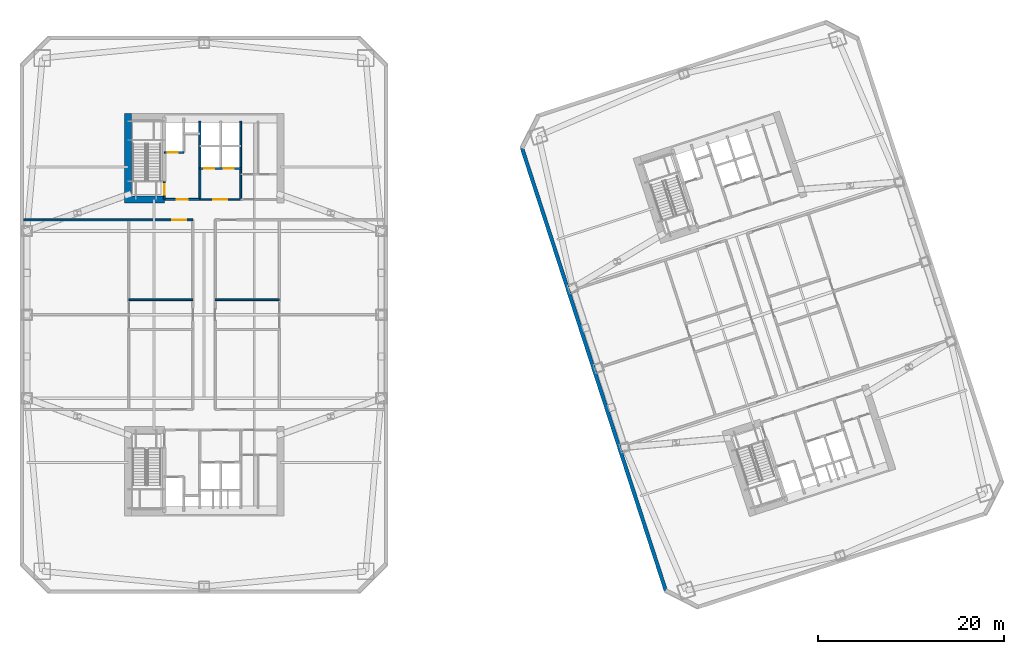
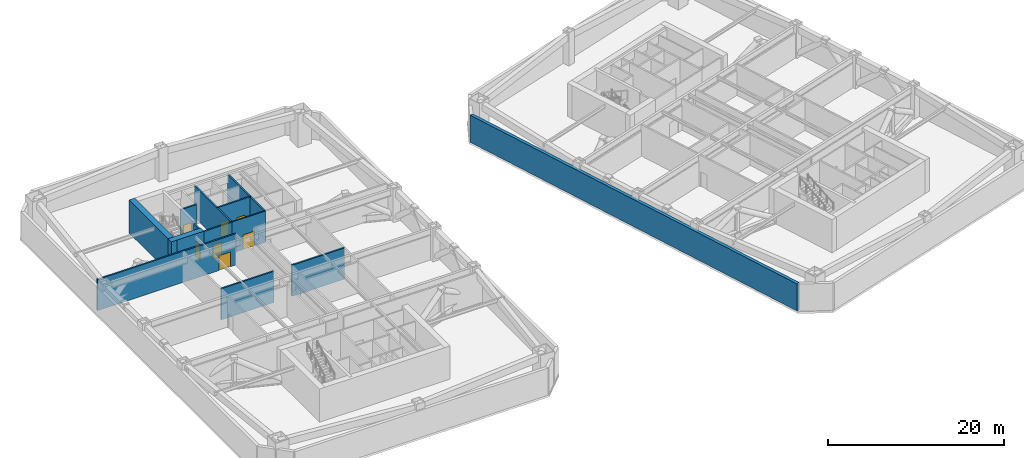
# One storey, part 10 of 16: 13 walls, 7 doors, 7 openings.
"""IFC4 building model written with IfcOpenShell, lengths in metres."""

from ifc_helpers import new_model, si_unit, direction, frame, frame_2d, origin, place, context, subcontext, project, spatial, rectangle, extrude, material, layer, layer_set, type_object, element, fill, save


model = new_model("IFC4")

# Units and contexts
model_context = context("Model", 3, precision=1e-05, world=origin(), true_north=direction((0.0, 1.0)))
body_context = subcontext(model_context, "Body", "Model", "MODEL_VIEW")
ifc_project = project(units=[si_unit("LENGTHUNIT", "METRE"), si_unit("AREAUNIT", "SQUARE_METRE"), si_unit("VOLUMEUNIT", "CUBIC_METRE"), si_unit("PLANEANGLEUNIT", "RADIAN"), si_unit("MASSUNIT", "GRAM", prefix="KILO")], contexts=[model_context])

# Site, building, storey
site_placement = place(None, origin())
site = spatial("IfcSite", under=ifc_project, at=site_placement, CompositionType="ELEMENT")
building_placement = place(site_placement, origin())
building = spatial("IfcBuilding", under=site, at=building_placement, Name="Qiaolan Cultural Towers", CompositionType="ELEMENT")
storey_placement = place(building_placement, frame((0.0, 0.0, 46.0)))
storey = spatial("IfcBuildingStorey", under=building, at=storey_placement, Name="L10", CompositionType="ELEMENT", Elevation=46.0)

# Walls
ifc_material_1 = material(Name="Concrete C60", Category="concrete")
ifc_layer_1 = layer(ifc_material_1, 0.75)
ifc_layer_set_1 = layer_set([ifc_layer_1], Name="Concrete C60")
wall_type_1 = type_object("IfcWallType", Name="WL-CORE-750", PredefinedType="SHEAR", material=ifc_layer_set_1)
wall_1_placement = place(storey_placement, frame((21.800048828125, 46.02490234375, 0.0), z_axis=(0.0, 0.0, 1.0), x_axis=(0.0, 1.0, 0.0)))
element("IfcWall", 1, at=wall_1_placement, inside=storey, type_object=wall_type_1, Name="L10 T1-CN West Core Shear Wall", PredefinedType="SHEAR", context=body_context, shape_type="SweptSolid", body=[
    extrude(rectangle(XDim=9.630126953125, YDim=0.75, at=frame_2d((4.81494140625, 0.0))), origin(), (0.0, 0.0, 1.0), 4.60009765625),
])
wall_2_placement = place(storey_placement, frame((21.425048828125, 46.39990234375, 0.0), z_axis=(0.0, 0.0, 1.0), x_axis=(1.0, 0.0, 0.0)))
element("IfcWall", 2, at=wall_2_placement, inside=storey, type_object=wall_type_1, Name="L10 T1-CN Stair Front Shear Wall", PredefinedType="SHEAR", context=body_context, shape_type="SweptSolid", body=[
    extrude(rectangle(XDim=4.294921875, YDim=0.75, at=frame_2d((2.1474609375, 0.0))), origin(), (0.0, 0.0, 1.0), 4.60009765625),
])
ifc_material_2 = material(Name="Precast Concrete C50 Honed Stone Pier", Category="masonry")
ifc_layer_2 = layer(ifc_material_2, 0.39990234375)
ifc_layer_set_2 = layer_set([ifc_layer_2], Name="Precast Concrete C50 Honed Stone Pier")
wall_type_2 = type_object("IfcWallType", Name="WL-EXT-PIER-400", PredefinedType="SOLIDWALL", material=ifc_layer_set_2)
wall_3_placement = place(storey_placement, frame((79.6552734375, 4.352294921875, 0.0), z_axis=(0.0, 0.0, 1.0), x_axis=(-0.309014526607, 0.951057318118, 0.0)))
element("IfcWall", 3, at=wall_3_placement, inside=storey, type_object=wall_type_2, Name="L10 East Tower Precast Pier Facade Wall F1", PredefinedType="SOLIDWALL", context=body_context, shape_type="SweptSolid", body=[
    extrude(rectangle(XDim=49.999755859375, YDim=0.39990234375, at=frame_2d((25.0, 0.0))), origin(), (0.0, 0.0, 1.0), 3.760009765625),
])

# Wall, opening, door
ifc_material_3 = material(Name="Concrete C35 Fire Wall", Category="concrete")
ifc_layer_3 = layer(ifc_material_3, 0.199951171875)
ifc_layer_set_3 = layer_set([ifc_layer_3], Name="Concrete C35 Fire Wall")
wall_type_3 = type_object("IfcWallType", Name="WL-FIRE-200", PredefinedType="PARTITIONING", material=ifc_layer_set_3)
wall_4_placement = place(storey_placement, frame((25.719970703125, 46.39990234375, 0.0), z_axis=(0.0, 0.0, 1.0), x_axis=(0.0, 1.0, 0.0)))
wall_4 = element("IfcWall", 4, at=wall_4_placement, inside=storey, type_object=wall_type_3, Name="L10 T1-CN Smokeproof Stair Entry Wall", PredefinedType="PARTITIONING", context=body_context, shape_type="SweptSolid", body=[
    extrude(rectangle(XDim=1.900146484375, YDim=0.199951171875, at=frame_2d((0.9501953125, 0.0))), origin(), (0.0, 0.0, 1.0), 4.324951171875),
])
opening_1_placement = place(wall_4_placement, frame((0.52001953125, 0.0, 0.0)))
opening_1 = element("IfcOpeningElement", 5, at=opening_1_placement, cuts=wall_4, Name="Opening FD-04", PredefinedType="OPENING", context=body_context, shape_type="SweptSolid", body=[
    extrude(rectangle(XDim=1.10009765625, YDim=2.050048828125, at=frame_2d((0.550048828125, 1.02490234375))), frame((0.0, 0.10986328125, 0.0), z_axis=(0.0, -1.0, 0.0), x_axis=(1.0, 0.0, 0.0)), (0.0, 0.0, 1.0), 0.219970703125),
])
ifc_material_4 = material(Name="Galvanized Steel Command Fire Door", Category="steel")
door_type_1 = type_object("IfcDoorType", Name="DR-FD90-1100", OperationType="NOTDEFINED", PredefinedType="DOOR", material=ifc_material_4)
door_1_placement = place(opening_1_placement, origin())
door_1 = element("IfcDoor", 6, at=door_1_placement, inside=storey, type_object=door_type_1, Name="L10 ST-W2 Smokeproof Stair Fire Door", OperationType="SINGLE_SWING_LEFT", OverallHeight=2.050048828125, OverallWidth=1.10009765625, PredefinedType="DOOR", context=body_context, shape_type="SweptSolid", body=[
    extrude(rectangle(XDim=1.10009765625, YDim=2.050048828125, at=frame_2d((0.550048828125, 1.02490234375))), frame((0.0, 0.02490234375, 0.0), z_axis=(0.0, -1.0, 0.0), x_axis=(1.0, 0.0, 0.0)), (0.0, 0.0, 1.0), 0.050048828125),
])
fill(opening_1, door_1)

# Wall
wall_5_placement = place(storey_placement, frame((29.550048828125, 46.39990234375, 0.0), z_axis=(0.0, 0.0, 1.0), x_axis=(0.0, 1.0, 0.0)))
element("IfcWall", 7, at=wall_5_placement, inside=storey, type_object=wall_type_3, Name="L10 T1-CN Firefighting Zone Wall", PredefinedType="PARTITIONING", context=body_context, shape_type="SweptSolid", body=[
    extrude(rectangle(XDim=8.43017578125, YDim=0.199951171875, at=frame_2d((4.215087890625, 0.0))), origin(), (0.0, 0.0, 1.0), 4.324951171875),
])

# Wall, opening, door
wall_6_placement = place(storey_placement, frame((25.719970703125, 46.39990234375, 0.0), z_axis=(0.0, 0.0, 1.0), x_axis=(1.0, 0.0, 0.0)))
wall_6 = element("IfcWall", 8, at=wall_6_placement, inside=storey, type_object=wall_type_3, Name="L10 T1-CN Firefighting Lobby Front Wall", PredefinedType="PARTITIONING", context=body_context, shape_type="SweptSolid", body=[
    extrude(rectangle(XDim=3.830078125, YDim=0.199951171875, at=frame_2d((1.9150390625, 0.0))), origin(), (0.0, 0.0, 1.0), 4.324951171875),
])
opening_2_placement = place(wall_6_placement, frame((1.35009765625, 0.0, 0.0)))
opening_2 = element("IfcOpeningElement", 9, at=opening_2_placement, cuts=wall_6, Name="Opening FD-03", PredefinedType="OPENING", context=body_context, shape_type="SweptSolid", body=[
    extrude(rectangle(XDim=1.199951171875, YDim=2.050048828125, at=frame_2d((0.60009765625, 1.02490234375))), frame((0.0, 0.10986328125, 0.0), z_axis=(0.0, -1.0, 0.0), x_axis=(1.0, 0.0, 0.0)), (0.0, 0.0, 1.0), 0.219970703125),
])
ifc_material_5 = material(Name="Galvanized Steel Smokeproof Lobby Fire Door", Category="steel")
door_type_2 = type_object("IfcDoorType", Name="DR-FD90-1200", OperationType="NOTDEFINED", PredefinedType="DOOR", material=ifc_material_5)
door_2_placement = place(opening_2_placement, origin())
door_2 = element("IfcDoor", 10, at=door_2_placement, inside=storey, type_object=door_type_2, Name="L10 FFL-W2 Firefighting Lobby Fire Door", OperationType="SINGLE_SWING_LEFT", OverallHeight=2.050048828125, OverallWidth=1.199951171875, PredefinedType="DOOR", context=body_context, shape_type="SweptSolid", body=[
    extrude(rectangle(XDim=1.199951171875, YDim=2.050048828125, at=frame_2d((0.60009765625, 1.02490234375))), frame((0.0, 0.02490234375, 0.0), z_axis=(0.0, -1.0, 0.0), x_axis=(1.0, 0.0, 0.0)), (0.0, 0.0, 1.0), 0.050048828125),
])
fill(opening_2, door_2)

wall_7_placement = place(storey_placement, frame((25.719970703125, 51.449951171875, 0.0), z_axis=(0.0, 0.0, 1.0), x_axis=(1.0, 0.0, 0.0)))
wall_7 = element("IfcWall", 11, at=wall_7_placement, inside=storey, type_object=wall_type_3, Name="L10 T1-CN Firefighting Shaft Front Wall", PredefinedType="PARTITIONING", context=body_context, shape_type="SweptSolid", body=[
    extrude(rectangle(XDim=2.10009765625, YDim=0.199951171875, at=frame_2d((1.050048828125, 0.0))), origin(), (0.0, 0.0, 1.0), 4.324951171875),
])
opening_3_placement = place(wall_7_placement, frame((0.35009765625, 0.0, 0.0)))
opening_3 = element("IfcOpeningElement", 12, at=opening_3_placement, cuts=wall_7, Name="Opening LD-01", PredefinedType="OPENING", context=body_context, shape_type="SweptSolid", body=[
    extrude(rectangle(XDim=1.10009765625, YDim=2.050048828125, at=frame_2d((0.550048828125, 1.02490234375))), frame((0.0, 0.10986328125, 0.0), z_axis=(0.0, -1.0, 0.0), x_axis=(1.0, 0.0, 0.0)), (0.0, 0.0, 1.0), 0.219970703125),
])
ifc_material_6 = material(Name="Brushed Stainless Steel S30408 Centre-Parting Lift Landing Door", Category="steel")
door_type_3 = type_object("IfcDoorType", Name="DR-LIFT-1100", OperationType="NOTDEFINED", PredefinedType="DOOR", material=ifc_material_6)
door_3_placement = place(opening_3_placement, origin())
door_3 = element("IfcDoor", 13, at=door_3_placement, inside=storey, type_object=door_type_3, Name="L10 FFL-W2 Firefighting Lift Landing Door", OperationType="DOUBLE_DOOR_SLIDING", OverallHeight=2.050048828125, OverallWidth=1.10009765625, PredefinedType="DOOR", context=body_context, shape_type="SweptSolid", body=[
    extrude(rectangle(XDim=1.10009765625, YDim=2.050048828125, at=frame_2d((0.550048828125, 1.02490234375))), frame((0.0, 0.02490234375, 0.0), z_axis=(0.0, -1.0, 0.0), x_axis=(1.0, 0.0, 0.0)), (0.0, 0.0, 1.0), 0.050048828125),
])
fill(opening_3, door_3)

# Wall
wall_8_placement = place(storey_placement, frame((33.949951171875, 46.39990234375, 0.0), z_axis=(0.0, 0.0, 1.0), x_axis=(0.0, 1.0, 0.0)))
element("IfcWall", 14, at=wall_8_placement, inside=storey, type_object=wall_type_3, Name="L10 T1-CN Lift Core East Wall", PredefinedType="PARTITIONING", context=body_context, shape_type="SweptSolid", body=[
    extrude(rectangle(XDim=8.43017578125, YDim=0.199951171875, at=frame_2d((4.215087890625, 0.0))), origin(), (0.0, 0.0, 1.0), 4.324951171875),
])

# Wall, openings, doors
wall_9_placement = place(storey_placement, frame((29.550048828125, 49.719970703125, 0.0), z_axis=(0.0, 0.0, 1.0), x_axis=(1.0, 0.0, 0.0)))
wall_9 = element("IfcWall", 15, at=wall_9_placement, inside=storey, type_object=wall_type_3, Name="L10 T1-CN Passenger Lift Shaft Front Wall", PredefinedType="PARTITIONING", context=body_context, shape_type="SweptSolid", body=[
    extrude(rectangle(XDim=4.39990234375, YDim=0.199951171875, at=frame_2d((2.199951171875, 0.0))), origin(), (0.0, 0.0, 1.0), 4.324951171875),
])
opening_4_placement = place(wall_9_placement, frame((0.449951171875, 0.0, 0.0)))
opening_4 = element("IfcOpeningElement", 16, at=opening_4_placement, cuts=wall_9, Name="Opening LD-01", PredefinedType="OPENING", context=body_context, shape_type="SweptSolid", body=[
    extrude(rectangle(XDim=1.10009765625, YDim=2.050048828125, at=frame_2d((0.550048828125, 1.02490234375))), frame((0.0, 0.10986328125, 0.0), z_axis=(0.0, -1.0, 0.0), x_axis=(1.0, 0.0, 0.0)), (0.0, 0.0, 1.0), 0.219970703125),
])
opening_5_placement = place(wall_9_placement, frame((2.550048828125, 0.0, 0.0)))
opening_5 = element("IfcOpeningElement", 17, at=opening_5_placement, cuts=wall_9, Name="Opening LD-01", PredefinedType="OPENING", context=body_context, shape_type="SweptSolid", body=[
    extrude(rectangle(XDim=1.10009765625, YDim=2.050048828125, at=frame_2d((0.550048828125, 1.02490234375))), frame((0.0, 0.10986328125, 0.0), z_axis=(0.0, -1.0, 0.0), x_axis=(1.0, 0.0, 0.0)), (0.0, 0.0, 1.0), 0.219970703125),
])
door_4_placement = place(opening_4_placement, origin())
door_4 = element("IfcDoor", 18, at=door_4_placement, inside=storey, type_object=door_type_3, Name="L10 Passenger Lift 1 Landing Door", OperationType="DOUBLE_DOOR_SLIDING", OverallHeight=2.050048828125, OverallWidth=1.10009765625, PredefinedType="DOOR", context=body_context, shape_type="SweptSolid", body=[
    extrude(rectangle(XDim=1.10009765625, YDim=2.050048828125, at=frame_2d((0.550048828125, 1.02490234375))), frame((0.0, 0.02490234375, 0.0), z_axis=(0.0, -1.0, 0.0), x_axis=(1.0, 0.0, 0.0)), (0.0, 0.0, 1.0), 0.050048828125),
])
fill(opening_4, door_4)
door_5_placement = place(opening_5_placement, origin())
door_5 = element("IfcDoor", 19, at=door_5_placement, inside=storey, type_object=door_type_3, Name="L10 Passenger Lift 2 Landing Door", OperationType="DOUBLE_DOOR_SLIDING", OverallHeight=2.050048828125, OverallWidth=1.10009765625, PredefinedType="DOOR", context=body_context, shape_type="SweptSolid", body=[
    extrude(rectangle(XDim=1.10009765625, YDim=2.050048828125, at=frame_2d((0.550048828125, 1.02490234375))), frame((0.0, 0.02490234375, 0.0), z_axis=(0.0, -1.0, 0.0), x_axis=(1.0, 0.0, 0.0)), (0.0, 0.0, 1.0), 0.050048828125),
])
fill(opening_5, door_5)

# Wall, opening, door
wall_10_placement = place(storey_placement, frame((10.60009765625, 44.199951171875, 0.0), z_axis=(0.0, 0.0, 1.0), x_axis=(1.0, 0.0, 0.0)))
wall_10 = element("IfcWall", 20, at=wall_10_placement, inside=storey, type_object=wall_type_3, Name="L10 T1 Fire Rated Plant/Refuge Wall NBW", PredefinedType="PARTITIONING", context=body_context, shape_type="SweptSolid", body=[
    extrude(rectangle(XDim=18.199951171875, YDim=0.199951171875, at=frame_2d((9.10009765625, 0.0))), origin(), (0.0, 0.0, 1.0), 4.324951171875),
])
opening_6_placement = place(wall_10_placement, frame((16.0, 0.0, 0.0)))
opening_6 = element("IfcOpeningElement", 21, at=opening_6_placement, cuts=wall_10, Name="Opening FD-02", PredefinedType="OPENING", context=body_context, shape_type="SweptSolid", body=[
    extrude(rectangle(XDim=1.5, YDim=2.050048828125, at=frame_2d((0.75, 1.02490234375))), frame((0.0, 0.10986328125, 0.0), z_axis=(0.0, -1.0, 0.0), x_axis=(1.0, 0.0, 0.0)), (0.0, 0.0, 1.0), 0.219970703125),
])
ifc_material_7 = material(Name="Galvanized Steel Double Fire Door", Category="steel")
door_type_4 = type_object("IfcDoorType", Name="DR-FD90-1500", OperationType="NOTDEFINED", PredefinedType="DOOR", material=ifc_material_7)
door_6_placement = place(opening_6_placement, origin())
door_6 = element("IfcDoor", 22, at=door_6_placement, inside=storey, type_object=door_type_4, Name="L10 T1 West North Refuge Fire Door", OperationType="SINGLE_SWING_LEFT", OverallHeight=2.050048828125, OverallWidth=1.5, PredefinedType="DOOR", context=body_context, shape_type="SweptSolid", body=[
    extrude(rectangle(XDim=1.5, YDim=2.050048828125, at=frame_2d((0.75, 1.02490234375))), frame((0.0, 0.02490234375, 0.0), z_axis=(0.0, -1.0, 0.0), x_axis=(1.0, 0.0, 0.0)), (0.0, 0.0, 1.0), 0.050048828125),
])
fill(opening_6, door_6)

# Walls
for number, where, z_axis, x_axis, name in (
    (23, (21.89990234375, 35.60009765625, 0.0), (0.0, 0.0, 1.0), (1.0, 0.0, 0.0), "L10 T1 Fire Rated Plant/Refuge Wall SVS-NL"),
    (24, (31.199951171875, 35.60009765625, 0.0), (0.0, 0.0, 1.0), (1.0, 0.0, 0.0), "L10 T1 Fire Rated Plant/Refuge Wall SVS-NR"),
):
    element("IfcWall", number, at=place(storey_placement, frame(where, z_axis=z_axis, x_axis=x_axis)), inside=storey, type_object=wall_type_3, Name=name, PredefinedType="PARTITIONING", context=body_context, shape_type="SweptSolid", body=[
        extrude(rectangle(XDim=6.900146484375, YDim=0.199951171875, at=frame_2d((3.4501953125, 0.0))), origin(), (0.0, 0.0, 1.0), 4.324951171875),
    ])

# Wall, opening, door
ifc_material_8 = material(Name="Autoclaved Aerated Concrete Block B06", Category="concrete")
ifc_layer_4 = layer(ifc_material_8, 0.14990234375)
ifc_layer_set_4 = layer_set([ifc_layer_4], Name="Autoclaved Aerated Concrete Block B06")
wall_type_4 = type_object("IfcWallType", Name="WL-PART-150", PredefinedType="PARTITIONING", material=ifc_layer_set_4)
wall_11_placement = place(storey_placement, frame((29.550048828125, 46.39990234375, 0.0), z_axis=(0.0, 0.0, 1.0), x_axis=(1.0, 0.0, 0.0)))
wall_11 = element("IfcWall", 25, at=wall_11_placement, inside=storey, type_object=wall_type_4, Name="L10 T1-CN Passenger Lift Lobby Front Wall", PredefinedType="PARTITIONING", context=body_context, shape_type="SweptSolid", body=[
    extrude(rectangle(XDim=4.39990234375, YDim=0.14990234375, at=frame_2d((2.199951171875, 0.0))), origin(), (0.0, 0.0, 1.0), 4.324951171875),
])
opening_7_placement = place(wall_11_placement, frame((1.449951171875, 0.0, 0.0)))
opening_7 = element("IfcOpeningElement", 26, at=opening_7_placement, cuts=wall_11, Name="Opening FD-05", PredefinedType="OPENING", context=body_context, shape_type="SweptSolid", body=[
    extrude(rectangle(XDim=1.5, YDim=2.050048828125, at=frame_2d((0.75, 1.02490234375))), frame((0.0, 0.0849609375, 0.0), z_axis=(0.0, -1.0, 0.0), x_axis=(1.0, 0.0, 0.0)), (0.0, 0.0, 1.0), 0.169921875),
])
ifc_material_9 = material(Name="Painted Steel Lift Lobby Fire Door", Category="steel")
door_type_5 = type_object("IfcDoorType", Name="DR-FD60-1500", OperationType="NOTDEFINED", PredefinedType="DOOR", material=ifc_material_9)
door_7_placement = place(opening_7_placement, origin())
door_7 = element("IfcDoor", 27, at=door_7_placement, inside=storey, type_object=door_type_5, Name="L10 Passenger Lift Lobby Entrance", OperationType="SINGLE_SWING_LEFT", OverallHeight=2.050048828125, OverallWidth=1.5, PredefinedType="DOOR", context=body_context, shape_type="SweptSolid", body=[
    extrude(rectangle(XDim=1.5, YDim=2.050048828125, at=frame_2d((0.75, 1.02490234375))), frame((0.0, 0.02490234375, 0.0), z_axis=(0.0, -1.0, 0.0), x_axis=(1.0, 0.0, 0.0)), (0.0, 0.0, 1.0), 0.050048828125),
])
fill(opening_7, door_7)

save(model, "model.ifc")
